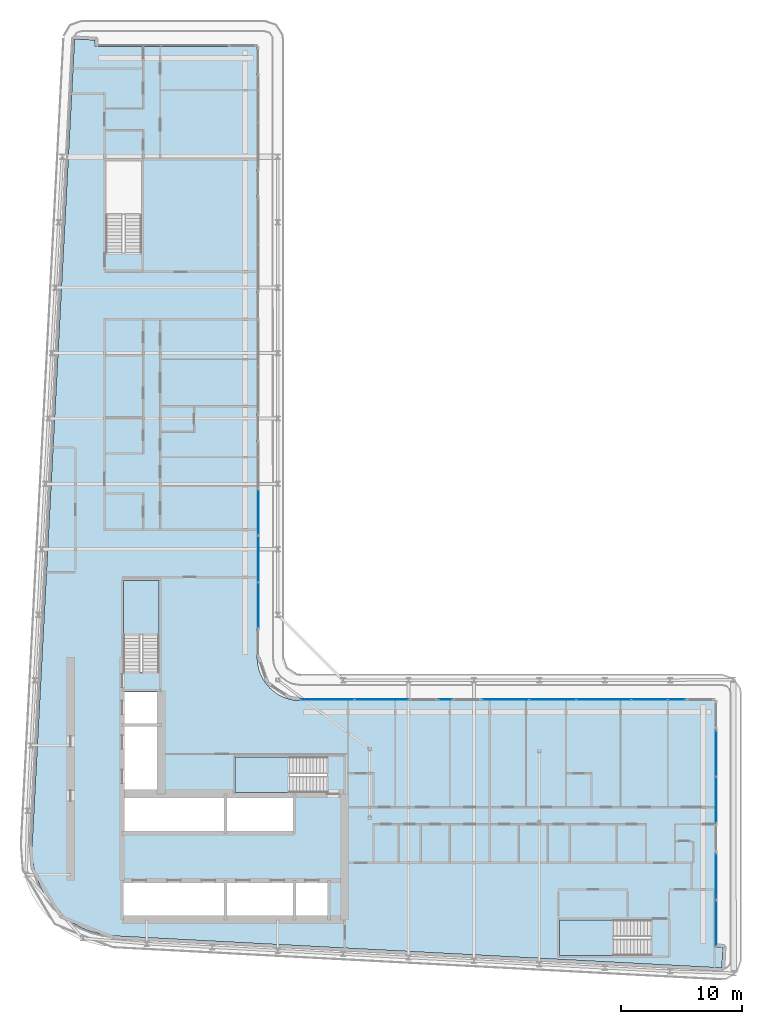
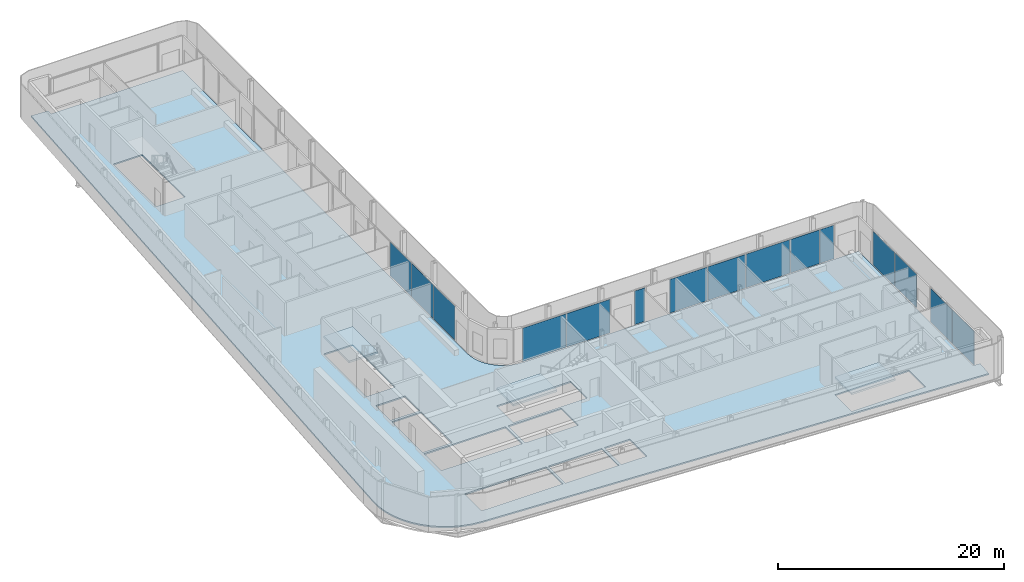
# One storey, part 8 of 22: 15 plates, 4 slabs, 11 elements without a shape of their own.
"""IFC4 building model written with IfcOpenShell, lengths in metres."""

from ifc_helpers import new_model, si_unit, direction, frame, origin, origin_2d, place, context, subcontext, project, spatial, polyline, rectangle, outline, extrude, material, layer, layer_set, type_object, element, aggregate, save


model = new_model("IFC4")

# Units and contexts
model_context = context("Model", 3, precision=1e-05, world=origin(), true_north=direction((0.0, 1.0)))
body_context = subcontext(model_context, "Body", "Model", "MODEL_VIEW")
ifc_project = project(units=[si_unit("LENGTHUNIT", "METRE"), si_unit("AREAUNIT", "SQUARE_METRE"), si_unit("VOLUMEUNIT", "CUBIC_METRE"), si_unit("PLANEANGLEUNIT", "RADIAN"), si_unit("MASSUNIT", "GRAM", prefix="KILO")], contexts=[model_context])

# Site, building, storey
site_placement = place(None, origin())
site = spatial("IfcSite", under=ifc_project, at=site_placement, CompositionType="ELEMENT")
building_placement = place(site_placement, origin())
building = spatial("IfcBuilding", under=site, at=building_placement, Name="Kheshtan School and Residences Tower", CompositionType="ELEMENT")
storey_placement = place(building_placement, frame((0.0, 0.0, 263.0)))
storey = spatial("IfcBuildingStorey", under=building, at=storey_placement, Name="L62", CompositionType="ELEMENT", Elevation=263.0)

# Curtain wall, plate
ifc_material_1 = material(Name="Clear low-e glass in thermally broken aluminium frame", Category="aluminium")
ifc_layer_1 = layer(ifc_material_1, 0.199951171875)
ifc_layer_set_1 = layer_set([ifc_layer_1], Name="Curtain wall CW-L")
curtain_wall_type = type_object("IfcCurtainWallType", Name="Curtain wall CW-L", PredefinedType="NOTDEFINED", material=ifc_layer_set_1)
curtain_wall_1_placement = place(storey_placement, origin())
curtain_wall_1 = element("IfcCurtainWall", 1, at=curtain_wall_1_placement, inside=storey, type_object=curtain_wall_type, Name="Curtain wall CWL8c", PredefinedType="NOTDEFINED")
ifc_layer_2 = layer(ifc_material_1, 0.031982421875)
ifc_layer_set_2 = layer_set([ifc_layer_2], Name="CW-L glass panel")
plate_type = type_object("IfcPlateType", Name="CW-L glass panel", PredefinedType="CURTAIN_PANEL", material=ifc_layer_set_2)
plate_1_placement = place(storey_placement, frame((46.0, 59.46240234375, 0.0), z_axis=(0.0, 0.0, 1.0), x_axis=(0.0, -1.0, 0.0)))
plate_1 = element("IfcPlate", 2, at=plate_1_placement, type_object=plate_type, Name="CWL8c panel 3.1", PredefinedType="CURTAIN_PANEL", context=body_context, shape_type="SweptSolid", body=[
    extrude(rectangle(XDim=3.757080078125, YDim=0.031982421875, at=origin_2d()), origin(), (0.0, 0.0, 1.0), 3.6298828125),
])
aggregate(curtain_wall_1, [plate_1])

# Curtain wall, plates
curtain_wall_2_placement = place(storey_placement, origin())
curtain_wall_2 = element("IfcCurtainWall", 3, at=curtain_wall_2_placement, inside=storey, type_object=curtain_wall_type, Name="Curtain wall CWL8", PredefinedType="NOTDEFINED")
plate_2_placement = place(storey_placement, frame((46.0, 55.615478515625, 0.0), z_axis=(0.0, 0.0, 1.0), x_axis=(0.0, -1.0, 0.0)))
plate_2 = element("IfcPlate", 4, at=plate_2_placement, type_object=plate_type, Name="CWL8 panel 1.1", PredefinedType="CURTAIN_PANEL", context=body_context, shape_type="SweptSolid", body=[
    extrude(rectangle(XDim=3.81689453125, YDim=0.031982421875, at=origin_2d()), origin(), (0.0, 0.0, 1.0), 3.6298828125),
])
plate_3_placement = place(storey_placement, frame((46.0, 51.7685546875, 0.0), z_axis=(0.0, 0.0, 1.0), x_axis=(0.0, -1.0, 0.0)))
plate_3 = element("IfcPlate", 5, at=plate_3_placement, type_object=plate_type, Name="CWL8 panel 2.1", PredefinedType="CURTAIN_PANEL", context=body_context, shape_type="SweptSolid", body=[
    extrude(rectangle(XDim=3.757080078125, YDim=0.031982421875, at=origin_2d()), origin(), (0.0, 0.0, 1.0), 3.6298828125),
])
aggregate(curtain_wall_2, [plate_2, plate_3])

curtain_wall_3_placement = place(storey_placement, origin())
curtain_wall_3 = element("IfcCurtainWall", 6, at=curtain_wall_3_placement, inside=storey, type_object=curtain_wall_type, Name="Curtain wall CWL1231", PredefinedType="NOTDEFINED")
plate_4_placement = place(storey_placement, frame((51.700927734375, 44.0, 0.0), z_axis=(0.0, 0.0, 1.0), x_axis=(1.0, 0.0, 0.0)))
plate_4 = element("IfcPlate", 7, at=plate_4_placement, type_object=plate_type, Name="CWL1231 panel 1.1", PredefinedType="CURTAIN_PANEL", context=body_context, shape_type="SweptSolid", body=[
    extrude(rectangle(XDim=4.421630859375, YDim=0.031982421875, at=origin_2d()), origin(), (0.0, 0.0, 1.0), 3.6298828125),
])
plate_5_placement = place(storey_placement, frame((56.1826171875, 44.0, 0.0), z_axis=(0.0, 0.0, 1.0), x_axis=(1.0, 0.0, 0.0)))
plate_5 = element("IfcPlate", 8, at=plate_5_placement, type_object=plate_type, Name="CWL1231 panel 2.1", PredefinedType="CURTAIN_PANEL", context=body_context, shape_type="SweptSolid", body=[
    extrude(rectangle(XDim=4.421630859375, YDim=0.031982421875, at=origin_2d()), origin(), (0.0, 0.0, 1.0), 3.6298828125),
])
aggregate(curtain_wall_3, [plate_4, plate_5])

# Curtain wall, plate
curtain_wall_4_placement = place(storey_placement, origin())
curtain_wall_4 = element("IfcCurtainWall", 9, at=curtain_wall_4_placement, inside=storey, type_object=curtain_wall_type, Name="Curtain wall CWL12b", PredefinedType="NOTDEFINED")
plate_6_placement = place(storey_placement, frame((61.453369140625, 44.0, 0.0), z_axis=(0.0, 0.0, 1.0), x_axis=(1.0, 0.0, 0.0)))
plate_6 = element("IfcPlate", 10, at=plate_6_placement, type_object=plate_type, Name="CWL12b panel 1.1", PredefinedType="CURTAIN_PANEL", context=body_context, shape_type="SweptSolid", body=[
    extrude(rectangle(XDim=1.080078125, YDim=0.031982421875, at=origin_2d()), origin(), (0.0, 0.0, 1.0), 3.6298828125),
])
aggregate(curtain_wall_4, [plate_6])

# Curtain wall, plates
curtain_wall_5_placement = place(storey_placement, origin())
curtain_wall_5 = element("IfcCurtainWall", 11, at=curtain_wall_5_placement, inside=storey, type_object=curtain_wall_type, Name="Curtain wall CWL1229", PredefinedType="NOTDEFINED")
plate_7_placement = place(storey_placement, frame((66.424072265625, 44.0, 0.0), z_axis=(0.0, 0.0, 1.0), x_axis=(1.0, 0.0, 0.0)))
plate_7 = element("IfcPlate", 12, at=plate_7_placement, type_object=plate_type, Name="CWL1229 panel 1.1", PredefinedType="CURTAIN_PANEL", context=body_context, shape_type="SweptSolid", body=[
    extrude(rectangle(XDim=3.82177734375, YDim=0.031982421875, at=origin_2d()), origin(), (0.0, 0.0, 1.0), 3.6298828125),
])
plate_8_placement = place(storey_placement, frame((70.305908203125, 44.0, 0.0), z_axis=(0.0, 0.0, 1.0), x_axis=(1.0, 0.0, 0.0)))
plate_8 = element("IfcPlate", 13, at=plate_8_placement, type_object=plate_type, Name="CWL1229 panel 2.1", PredefinedType="CURTAIN_PANEL", context=body_context, shape_type="SweptSolid", body=[
    extrude(rectangle(XDim=3.82177734375, YDim=0.031982421875, at=origin_2d()), origin(), (0.0, 0.0, 1.0), 3.6298828125),
])
aggregate(curtain_wall_5, [plate_7, plate_8])

curtain_wall_6_placement = place(storey_placement, origin())
curtain_wall_6 = element("IfcCurtainWall", 14, at=curtain_wall_6_placement, inside=storey, type_object=curtain_wall_type, Name="Curtain wall CWL1228", PredefinedType="NOTDEFINED")
plate_9_placement = place(storey_placement, frame((74.517578125, 44.0, 0.0), z_axis=(0.0, 0.0, 1.0), x_axis=(1.0, 0.0, 0.0)))
plate_9 = element("IfcPlate", 15, at=plate_9_placement, type_object=plate_type, Name="CWL1228 panel 1.1", PredefinedType="CURTAIN_PANEL", context=body_context, shape_type="SweptSolid", body=[
    extrude(rectangle(XDim=4.481689453125, YDim=0.031982421875, at=origin_2d()), origin(), (0.0, 0.0, 1.0), 3.6298828125),
])
plate_10_placement = place(storey_placement, frame((78.294189453125, 44.0, 0.0), z_axis=(0.0, 0.0, 1.0), x_axis=(1.0, 0.0, 0.0)))
plate_10 = element("IfcPlate", 16, at=plate_10_placement, type_object=plate_type, Name="CWL1228 panel 2.1", PredefinedType="CURTAIN_PANEL", context=body_context, shape_type="SweptSolid", body=[
    extrude(rectangle(XDim=2.95166015625, YDim=0.031982421875, at=origin_2d()), origin(), (0.0, 0.0, 1.0), 3.6298828125),
])
plate_11_placement = place(storey_placement, frame((80.534912109375, 44.0, 0.0), z_axis=(0.0, 0.0, 1.0), x_axis=(1.0, 0.0, 0.0)))
plate_11 = element("IfcPlate", 17, at=plate_11_placement, type_object=plate_type, Name="CWL1228 panel 3.1", PredefinedType="CURTAIN_PANEL", context=body_context, shape_type="SweptSolid", body=[
    extrude(rectangle(XDim=1.409912109375, YDim=0.031982421875, at=origin_2d()), origin(), (0.0, 0.0, 1.0), 3.6298828125),
])
aggregate(curtain_wall_6, [plate_9, plate_10, plate_11])

curtain_wall_7_placement = place(storey_placement, origin())
curtain_wall_7 = element("IfcCurtainWall", 18, at=curtain_wall_7_placement, inside=storey, type_object=curtain_wall_type, Name="Curtain wall CWL13c", PredefinedType="NOTDEFINED")
plate_12_placement = place(storey_placement, frame((83.800048828125, 39.54345703125, 0.0), z_axis=(0.0, 0.0, 1.0), x_axis=(0.0, -1.0, 0.0)))
plate_12 = element("IfcPlate", 19, at=plate_12_placement, type_object=plate_type, Name="CWL13c panel 1.1", PredefinedType="CURTAIN_PANEL", context=body_context, shape_type="SweptSolid", body=[
    extrude(rectangle(XDim=3.793212890625, YDim=0.031982421875, at=origin_2d()), origin(), (0.0, 0.0, 1.0), 3.6298828125),
])
plate_13_placement = place(storey_placement, frame((83.800048828125, 35.690185546875, 0.0), z_axis=(0.0, 0.0, 1.0), x_axis=(0.0, -1.0, 0.0)))
plate_13 = element("IfcPlate", 20, at=plate_13_placement, type_object=plate_type, Name="CWL13c panel 2.1", PredefinedType="CURTAIN_PANEL", context=body_context, shape_type="SweptSolid", body=[
    extrude(rectangle(XDim=3.793212890625, YDim=0.031982421875, at=origin_2d()), origin(), (0.0, 0.0, 1.0), 3.6298828125),
])
aggregate(curtain_wall_7, [plate_12, plate_13])

curtain_wall_8_placement = place(storey_placement, origin())
curtain_wall_8 = element("IfcCurtainWall", 21, at=curtain_wall_8_placement, inside=storey, type_object=curtain_wall_type, Name="Curtain wall CWL13c", PredefinedType="NOTDEFINED")
plate_14_placement = place(storey_placement, frame((83.800048828125, 29.376953125, 0.0), z_axis=(0.0, 0.0, 1.0), x_axis=(0.0, -1.0, 0.0)))
plate_14 = element("IfcPlate", 22, at=plate_14_placement, type_object=plate_type, Name="CWL13c panel 1.1", PredefinedType="CURTAIN_PANEL", context=body_context, shape_type="SweptSolid", body=[
    extrude(rectangle(XDim=3.793212890625, YDim=0.031982421875, at=origin_2d()), origin(), (0.0, 0.0, 1.0), 3.6298828125),
])
plate_15_placement = place(storey_placement, frame((83.800048828125, 25.523681640625, 0.0), z_axis=(0.0, 0.0, 1.0), x_axis=(0.0, -1.0, 0.0)))
plate_15 = element("IfcPlate", 23, at=plate_15_placement, type_object=plate_type, Name="CWL13c panel 2.1", PredefinedType="CURTAIN_PANEL", context=body_context, shape_type="SweptSolid", body=[
    extrude(rectangle(XDim=3.793212890625, YDim=0.031982421875, at=origin_2d()), origin(), (0.0, 0.0, 1.0), 3.6298828125),
])
aggregate(curtain_wall_8, [plate_14, plate_15])

# Slab
ifc_material_2 = material(Name="Concrete C40/50", Category="concrete")
ifc_layer_3 = layer(ifc_material_2, 0.14990234375)
ifc_layer_set_3 = layer_set([ifc_layer_3], Name="Floor slab 150 Concrete C40/50")
slab_type_1 = type_object("IfcSlabType", Name="Floor slab 150 Concrete C40/50", PredefinedType="FLOOR", material=ifc_layer_set_3)
slab_1_placement = place(storey_placement, frame((0.0, 0.0, -0.14990234375)))
element("IfcSlab", 24, at=slab_1_placement, inside=storey, type_object=slab_type_1, Name="Floor slab L62", PredefinedType="FLOOR", context=body_context, shape_type="SweptSolid", body=[
    extrude(outline(polyline([(28.0849609375, 28.345947265625), (27.718017578125, 29.200927734375), (27.466064453125, 30.093017578125), (27.466064453125, 30.093994140625), (27.3330078125, 31.013916015625), (27.320068359375, 31.965087890625), (27.320068359375, 31.970947265625), (30.822021484375, 98.5009765625), (30.822998046875, 98.508056640625), (30.825927734375, 98.531005859375), (30.825927734375, 98.531982421875), (30.826904296875, 98.531982421875), (31.422119140625, 98.5), (31.423095703125, 98.5), (31.423095703125, 98.4990234375), (31.423095703125, 98.4951171875), (31.423095703125, 98.493896484375), (31.424072265625, 98.493896484375), (31.424072265625, 98.492919921875), (31.425048828125, 98.492919921875), (31.426025390625, 98.492919921875), (31.426025390625, 98.493896484375), (31.427978515625, 98.49609375), (31.428955078125, 98.4970703125), (31.429931640625, 98.498046875), (31.430908203125, 98.498046875), (31.430908203125, 98.4990234375), (31.431884765625, 98.4990234375), (31.431884765625, 98.5), (31.43505859375, 98.5009765625), (31.43603515625, 98.501953125), (31.43896484375, 98.501953125), (31.43994140625, 98.501953125), (31.43994140625, 98.5029296875), (31.44091796875, 98.5029296875), (31.446044921875, 98.5029296875), (32.5009765625, 98.447021484375), (32.50390625, 98.447021484375), (32.5048828125, 98.447021484375), (32.5048828125, 98.446044921875), (32.506103515625, 98.446044921875), (32.510009765625, 98.446044921875), (32.510009765625, 98.445068359375), (32.510986328125, 98.445068359375), (32.510986328125, 98.444091796875), (32.511962890625, 98.444091796875), (32.511962890625, 98.443115234375), (32.512939453125, 98.443115234375), (32.513916015625, 98.443115234375), (32.513916015625, 98.44189453125), (32.514892578125, 98.44189453125), (32.51611328125, 98.44189453125), (32.51904296875, 98.43896484375), (32.51904296875, 98.43798828125), (32.51904296875, 98.43701171875), (32.52001953125, 98.43701171875), (32.52001953125, 98.43603515625), (32.52099609375, 98.43603515625), (32.52099609375, 98.43408203125), (32.52099609375, 98.43310546875), (32.52197265625, 98.43310546875), (32.52197265625, 98.431884765625), (32.52294921875, 98.431884765625), (32.52294921875, 98.430908203125), (32.52294921875, 98.428955078125), (32.52294921875, 98.427978515625), (32.52392578125, 98.427978515625), (32.52392578125, 98.427001953125), (32.52392578125, 98.422119140625), (32.4970703125, 97.9208984375), (32.4970703125, 97.91796875), (32.4970703125, 97.9169921875), (32.49609375, 97.9169921875), (32.49609375, 97.916015625), (32.49609375, 97.912109375), (32.4951171875, 97.910888671875), (32.4951171875, 97.909912109375), (32.493896484375, 97.909912109375), (32.493896484375, 97.908935546875), (32.492919921875, 97.908935546875), (32.492919921875, 97.907958984375), (32.489013671875, 97.904052734375), (32.488037109375, 97.904052734375), (32.488037109375, 97.903076171875), (32.488037109375, 97.902099609375), (32.488037109375, 97.90087890625), (32.489013671875, 97.90087890625), (32.489013671875, 97.89990234375), (32.489990234375, 97.89990234375), (45.85498046875, 97.89990234375), (45.864990234375, 97.89794921875), (45.865966796875, 97.89794921875), (45.868896484375, 97.89599609375), (45.8740234375, 97.89404296875), (45.8779296875, 97.89208984375), (45.881103515625, 97.889892578125), (45.881103515625, 97.888916015625), (45.882080078125, 97.888916015625), (45.882080078125, 97.887939453125), (45.883056640625, 97.887939453125), (45.884033203125, 97.885009765625), (45.885009765625, 97.885009765625), (45.885009765625, 97.884033203125), (45.887939453125, 97.883056640625), (45.887939453125, 97.882080078125), (45.888916015625, 97.882080078125), (45.888916015625, 97.881103515625), (45.889892578125, 97.881103515625), (45.89208984375, 97.8779296875), (45.89404296875, 97.8740234375), (45.89599609375, 97.868896484375), (45.89794921875, 97.865966796875), (45.89794921875, 97.864990234375), (45.89990234375, 97.85498046875), (45.89990234375, 47.429931640625), (45.927001953125, 47.030029296875), (46.01806640625, 46.570068359375), (46.01806640625, 46.569091796875), (46.169921875, 46.1201171875), (46.37890625, 45.697021484375), (46.638916015625, 45.30810546875), (46.949951171875, 44.950927734375), (46.950927734375, 44.949951171875), (47.30810546875, 44.638916015625), (47.697021484375, 44.37890625), (48.1201171875, 44.169921875), (48.569091796875, 44.01806640625), (48.570068359375, 44.01806640625), (49.030029296875, 43.927001953125), (49.429931640625, 43.89990234375), (83.655029296875, 43.89990234375), (83.659912109375, 43.89892578125), (83.6650390625, 43.89794921875), (83.666015625, 43.89794921875), (83.6689453125, 43.89599609375), (83.674072265625, 43.89404296875), (83.677978515625, 43.89208984375), (83.680908203125, 43.889892578125), (83.680908203125, 43.888916015625), (83.681884765625, 43.888916015625), (83.681884765625, 43.887939453125), (83.68310546875, 43.887939453125), (83.68408203125, 43.885009765625), (83.68505859375, 43.885009765625), (83.68505859375, 43.884033203125), (83.68798828125, 43.883056640625), (83.68798828125, 43.882080078125), (83.68896484375, 43.882080078125), (83.68896484375, 43.881103515625), (83.68994140625, 43.881103515625), (83.69189453125, 43.8779296875), (83.694091796875, 43.8740234375), (83.696044921875, 43.868896484375), (83.697998046875, 43.865966796875), (83.697998046875, 43.864990234375), (83.699951171875, 43.85498046875), (83.699951171875, 23.56201171875), (83.699951171875, 23.56103515625), (83.700927734375, 23.56103515625), (83.700927734375, 23.56005859375), (83.701904296875, 23.56005859375), (83.702880859375, 23.56005859375), (83.702880859375, 23.56103515625), (83.705078125, 23.56298828125), (83.7060546875, 23.56396484375), (83.70703125, 23.56494140625), (83.7080078125, 23.56494140625), (83.7080078125, 23.56591796875), (83.708984375, 23.56591796875), (83.708984375, 23.56689453125), (83.7099609375, 23.56689453125), (83.712890625, 23.569091796875), (83.716064453125, 23.569091796875), (83.717041015625, 23.569091796875), (83.717041015625, 23.570068359375), (83.718017578125, 23.570068359375), (83.722900390625, 23.570068359375), (84.337890625, 23.537109375), (84.341064453125, 23.537109375), (84.342041015625, 23.537109375), (84.342041015625, 23.535888671875), (84.343017578125, 23.535888671875), (84.346923828125, 23.535888671875), (84.346923828125, 23.534912109375), (84.347900390625, 23.534912109375), (84.347900390625, 23.533935546875), (84.34912109375, 23.533935546875), (84.34912109375, 23.532958984375), (84.35009765625, 23.532958984375), (84.35107421875, 23.532958984375), (84.35107421875, 23.531982421875), (84.35205078125, 23.531982421875), (84.35302734375, 23.531982421875), (84.35302734375, 23.531005859375), (84.35498046875, 23.529052734375), (84.35595703125, 23.529052734375), (84.35595703125, 23.528076171875), (84.35595703125, 23.527099609375), (84.35693359375, 23.527099609375), (84.35693359375, 23.52587890625), (84.35791015625, 23.52587890625), (84.35791015625, 23.52490234375), (84.35791015625, 23.52392578125), (84.35791015625, 23.52294921875), (84.35888671875, 23.52294921875), (84.35888671875, 23.52197265625), (84.360107421875, 23.52197265625), (84.360107421875, 23.52099609375), (84.360107421875, 23.51904296875), (84.360107421875, 23.51806640625), (84.361083984375, 23.51806640625), (84.361083984375, 23.51708984375), (84.361083984375, 23.511962890625), (84.304931640625, 22.455078125), (84.304931640625, 22.451904296875), (84.304931640625, 22.450927734375), (84.303955078125, 22.450927734375), (84.303955078125, 22.449951171875), (84.303955078125, 22.446044921875), (84.302978515625, 22.445068359375), (84.302978515625, 22.444091796875), (84.302001953125, 22.444091796875), (84.302001953125, 22.443115234375), (84.301025390625, 22.443115234375), (84.301025390625, 22.44189453125), (84.300048828125, 22.44091796875), (84.298095703125, 22.43896484375), (84.297119140625, 22.43798828125), (84.2958984375, 22.43798828125), (84.2958984375, 22.43701171875), (84.2958984375, 22.43603515625), (84.2958984375, 22.43505859375), (84.297119140625, 22.43505859375), (84.297119140625, 22.43408203125), (84.298095703125, 22.43408203125), (84.299072265625, 22.43408203125), (84.300048828125, 22.43408203125), (84.300048828125, 22.43310546875), (84.26806640625, 21.837890625), (84.26806640625, 21.8369140625), (84.26708984375, 21.8369140625), (84.242919921875, 21.8359375), (84.238037109375, 21.8359375), (34.056884765625, 24.47802734375), (33.114990234375, 24.590087890625), (32.215087890625, 24.819091796875), (32.214111328125, 24.819091796875), (31.35205078125, 25.1630859375), (30.541015625, 25.616943359375), (29.799072265625, 26.1708984375), (29.799072265625, 26.172119140625), (29.798095703125, 26.172119140625), (29.134033203125, 26.820068359375), (29.134033203125, 26.821044921875), (29.133056640625, 26.821044921875), (28.55908203125, 27.550048828125), (28.0849609375, 28.345947265625)]), holes=[polyline([(83.699951171875, 22.44091796875), (83.699951171875, 22.43994140625), (83.699951171875, 22.43603515625), (83.699951171875, 22.43505859375), (83.700927734375, 22.43505859375), (83.700927734375, 22.43408203125), (83.701904296875, 22.43408203125), (83.7060546875, 22.43408203125), (83.70703125, 22.43408203125), (83.70703125, 22.43505859375), (83.7080078125, 22.43505859375), (83.7080078125, 22.43603515625), (83.7080078125, 22.43701171875), (83.70703125, 22.43701171875), (83.7060546875, 22.43798828125), (83.7041015625, 22.43994140625), (83.702880859375, 22.44091796875), (83.702880859375, 22.44189453125), (83.701904296875, 22.44189453125), (83.700927734375, 22.44189453125), (83.700927734375, 22.44091796875), (83.699951171875, 22.44091796875)]), polyline([(31.423095703125, 97.906982421875), (31.423095703125, 97.906005859375), (31.423095703125, 97.902099609375), (31.423095703125, 97.90087890625), (31.424072265625, 97.90087890625), (31.424072265625, 97.89990234375), (31.425048828125, 97.89990234375), (31.428955078125, 97.89990234375), (31.429931640625, 97.89990234375), (31.429931640625, 97.90087890625), (31.430908203125, 97.90087890625), (31.430908203125, 97.902099609375), (31.430908203125, 97.903076171875), (31.429931640625, 97.903076171875), (31.428955078125, 97.904052734375), (31.427978515625, 97.905029296875), (31.427001953125, 97.906005859375), (31.426025390625, 97.906982421875), (31.426025390625, 97.907958984375), (31.425048828125, 97.907958984375), (31.424072265625, 97.907958984375), (31.424072265625, 97.906982421875), (31.423095703125, 97.906982421875)]), polyline([(43.175048828125, 28.925048828125), (34.875, 28.925048828125), (34.875, 25.925048828125), (43.175048828125, 25.925048828125), (43.175048828125, 28.925048828125)]), polyline([(43.175048828125, 36.074951171875), (34.875, 36.074951171875), (34.875, 33.074951171875), (43.175048828125, 33.074951171875), (43.175048828125, 36.074951171875)]), polyline([(34.875, 41.77490234375), (34.875, 36.324951171875), (37.875, 36.324951171875), (37.875, 41.77490234375), (34.875, 41.77490234375)]), polyline([(37.875, 44.625), (34.875, 44.625), (34.875, 42.02490234375), (37.875, 42.02490234375), (37.875, 44.625)]), polyline([(36.25, 46.25), (37.800048828125, 46.25), (37.800048828125, 53.81005859375), (34.85009765625, 53.81005859375), (34.85009765625, 46.260009765625), (36.25, 46.260009765625), (36.25, 46.25)]), polyline([(33.39990234375, 88.4599609375), (33.39990234375, 80.909912109375), (34.800048828125, 80.909912109375), (34.800048828125, 80.89990234375), (36.35009765625, 80.89990234375), (36.35009765625, 88.4599609375), (33.39990234375, 88.4599609375)]), polyline([(70.85009765625, 25.800048828125), (70.85009765625, 22.85009765625), (78.39990234375, 22.85009765625), (78.39990234375, 24.25), (78.409912109375, 24.25), (78.409912109375, 25.800048828125), (70.85009765625, 25.800048828125)]), polyline([(43.425048828125, 28.925048828125), (43.425048828125, 25.925048828125), (48.875, 25.925048828125), (48.875, 28.925048828125), (43.425048828125, 28.925048828125)]), polyline([(49.125, 28.925048828125), (49.125, 25.925048828125), (51.72509765625, 25.925048828125), (51.72509765625, 28.925048828125), (49.125, 28.925048828125)]), polyline([(43.425048828125, 36.074951171875), (43.425048828125, 33.074951171875), (48.875, 33.074951171875), (48.875, 36.074951171875), (43.425048828125, 36.074951171875)]), polyline([(51.64990234375, 37.699951171875), (51.64990234375, 39.25), (44.090087890625, 39.25), (44.090087890625, 36.300048828125), (51.639892578125, 36.300048828125), (51.639892578125, 37.699951171875), (51.64990234375, 37.699951171875)])]), origin(), (0.0, 0.0, 1.0), 0.14990234375),
])

# Stair, slab
stair_type = type_object("IfcStairType", Name="Exit stair, half-turn", PredefinedType="HALF_TURN_STAIR", material=ifc_material_2)
stair_1_placement = place(storey_placement, origin())
stair_1 = element("IfcStair", 25, at=stair_1_placement, inside=storey, type_object=stair_type, Name="L62 Protected Exit Stair ST1", PredefinedType="HALF_TURN_STAIR")
ifc_layer_4 = layer(ifc_material_2, 0.199951171875)
ifc_layer_set_4 = layer_set([ifc_layer_4], Name="Stair landing 200 Concrete C40/50")
slab_type_2 = type_object("IfcSlabType", Name="Stair landing 200 Concrete C40/50", PredefinedType="LANDING", material=ifc_layer_set_4)
slab_2_placement = place(storey_placement, frame((0.0, 0.0, 1.75)))
slab_2 = element("IfcSlab", 26, at=slab_2_placement, type_object=slab_type_2, Name="ST1 landing 1", PredefinedType="LANDING", context=body_context, shape_type="SweptSolid", body=[
    extrude(outline(polyline([(48.570068359375, 39.25), (44.090087890625, 39.25), (44.090087890625, 36.300048828125), (48.570068359375, 36.300048828125), (48.570068359375, 39.25)])), origin(), (0.0, 0.0, 1.0), 0.199951171875),
])
aggregate(stair_1, [slab_2])

stair_2_placement = place(storey_placement, origin())
stair_2 = element("IfcStair", 27, at=stair_2_placement, inside=storey, type_object=stair_type, Name="L62 Protected Exit Stair ST2", PredefinedType="HALF_TURN_STAIR")
slab_3_placement = place(storey_placement, frame((0.0, 0.0, 1.75)))
slab_3 = element("IfcSlab", 28, at=slab_3_placement, type_object=slab_type_2, Name="ST2 landing 1", PredefinedType="LANDING", context=body_context, shape_type="SweptSolid", body=[
    extrude(outline(polyline([(37.800048828125, 49.330078125), (37.800048828125, 53.81005859375), (34.85009765625, 53.81005859375), (34.85009765625, 49.330078125), (37.800048828125, 49.330078125)])), origin(), (0.0, 0.0, 1.0), 0.199951171875),
])
aggregate(stair_2, [slab_3])

stair_3_placement = place(storey_placement, origin())
stair_3 = element("IfcStair", 29, at=stair_3_placement, inside=storey, type_object=stair_type, Name="L62 Protected Exit Stair ST5", PredefinedType="HALF_TURN_STAIR")
slab_4_placement = place(storey_placement, frame((0.0, 0.0, 1.75)))
slab_4 = element("IfcSlab", 30, at=slab_4_placement, type_object=slab_type_2, Name="ST5 landing 1", PredefinedType="LANDING", context=body_context, shape_type="SweptSolid", body=[
    extrude(outline(polyline([(75.330078125, 25.800048828125), (70.85009765625, 25.800048828125), (70.85009765625, 22.85009765625), (75.330078125, 22.85009765625), (75.330078125, 25.800048828125)])), origin(), (0.0, 0.0, 1.0), 0.199951171875),
])
aggregate(stair_3, [slab_4])

save(model, "model.ifc")
